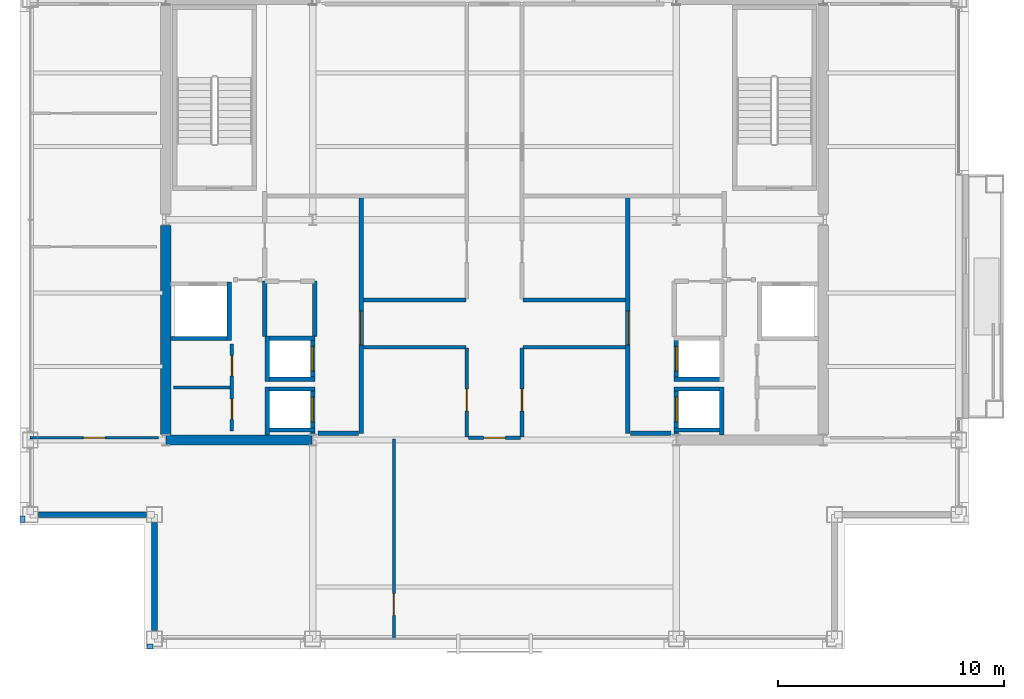
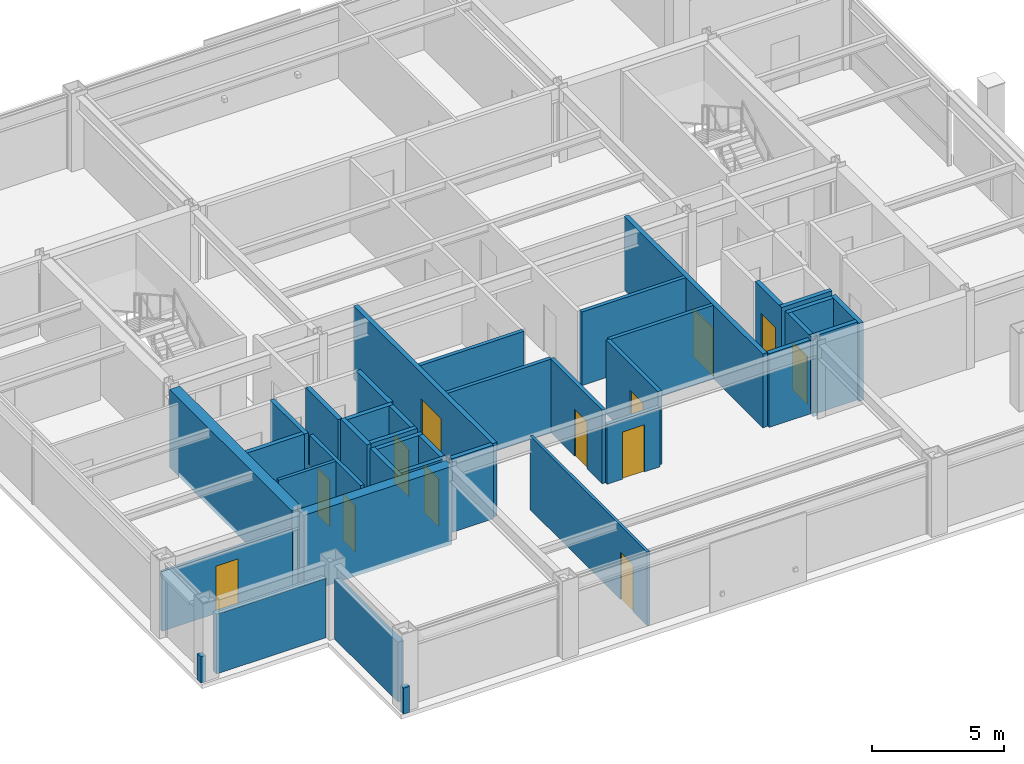
# One storey, part 25 of 30: 39 walls, 13 doors, 13 openings.
"""IFC4 building model written with IfcOpenShell, lengths in metres."""

from ifc_helpers import new_model, si_unit, direction, frame, frame_2d, origin, place, context, subcontext, project, spatial, rectangle, extrude, material, layer, layer_set, type_object, element, fill, save


model = new_model("IFC4")

# Units and contexts
model_context = context("Model", 3, precision=1e-05, world=origin(), true_north=direction((0.0, 1.0)))
body_context = subcontext(model_context, "Body", "Model", "MODEL_VIEW")
ifc_project = project(units=[si_unit("LENGTHUNIT", "METRE"), si_unit("AREAUNIT", "SQUARE_METRE"), si_unit("VOLUMEUNIT", "CUBIC_METRE"), si_unit("PLANEANGLEUNIT", "RADIAN"), si_unit("MASSUNIT", "GRAM", prefix="KILO")], contexts=[model_context])

# Site, building, storey
site_placement = place(None, origin())
site = spatial("IfcSite", under=ifc_project, at=site_placement, CompositionType="ELEMENT")
building_placement = place(site_placement, origin())
building = spatial("IfcBuilding", under=site, at=building_placement, Name="Brelmoor Portico Tower", CompositionType="ELEMENT")
storey_placement = place(building_placement, frame((0.0, 0.0, 187.5)))
storey = spatial("IfcBuildingStorey", under=building, at=storey_placement, Name="L49", CompositionType="ELEMENT", Elevation=187.5)

# Walls
ifc_material_1 = material(Name="Concrete C50", Category="concrete")
ifc_layer_1 = layer(ifc_material_1, 0.449951171875)
ifc_layer_set_1 = layer_set([ifc_layer_1], Name="Concrete C50")
wall_type_1 = type_object("IfcWallType", Name="WL-CORE-450", PredefinedType="SHEAR", material=ifc_layer_set_1)
wall_1_placement = place(storey_placement, frame((-14.530029296875, -9.75, -0.199951171875), z_axis=(0.0, 0.0, 1.0), x_axis=(1.0, 0.0, 0.0)))
element("IfcWall", 1, at=wall_1_placement, inside=storey, type_object=wall_type_1, Name="L49 WC South Shear Wall", PredefinedType="SHEAR", context=body_context, shape_type="SweptSolid", body=[
    extrude(rectangle(XDim=6.4599609375, YDim=0.449951171875, at=frame_2d((3.22998046875, 0.0))), origin(), (0.0, 0.0, 1.0), 3.599853515625),
])
wall_2_placement = place(storey_placement, frame((-14.550048828125, -9.5, -0.199951171875), z_axis=(0.0, 0.0, 1.0), x_axis=(0.0, 1.0, 0.0)))
element("IfcWall", 2, at=wall_2_placement, inside=storey, type_object=wall_type_1, Name="L49 WC Outer South Shear Wall", PredefinedType="SHEAR", context=body_context, shape_type="SweptSolid", body=[
    extrude(rectangle(XDim=9.25, YDim=0.449951171875, at=frame_2d((4.625, 0.0))), origin(), (0.0, 0.0, 1.0), 3.599853515625),
])
ifc_material_2 = material(Name="Precast Concrete C40 Insulated Facade Wall", Category="concrete")
ifc_layer_2 = layer(ifc_material_2, 0.25)
ifc_layer_set_2 = layer_set([ifc_layer_2], Name="Precast Concrete C40 Insulated Facade Wall")
wall_type_2 = type_object("IfcWallType", Name="WL-EXT-250", PredefinedType="STANDARD", material=ifc_layer_set_2)
for number, where, z_axis, x_axis, name in (
    (3, (-20.18994140625, -13.050048828125, 0.0), (0.0, 0.0, 1.0), (1.0, 0.0, 0.0), "L49 Corner Notch Facade Wall NSWH1"),
    (4, (-15.050048828125, -18.18994140625, 0.0), (0.0, 0.0, 1.0), (0.0, 1.0, 0.0), "L49 Corner Notch Facade Wall NSWV1"),
):
    element("IfcWall", number, at=place(storey_placement, frame(where, z_axis=z_axis, x_axis=x_axis)), inside=storey, type_object=wall_type_2, Name=name, PredefinedType="STANDARD", context=body_context, shape_type="SweptSolid", body=[
        extrude(rectangle(XDim=4.780029296875, YDim=0.25, at=frame_2d((2.39013671875, 0.0))), origin(), (0.0, 0.0, 1.0), 2.75),
    ])
ifc_material_3 = material(Name="Concrete C40 Parapet Upstand", Category="concrete")
ifc_layer_3 = layer(ifc_material_3, 0.219970703125)
ifc_layer_set_3 = layer_set([ifc_layer_3], Name="Concrete C40 Parapet Upstand")
wall_type_3 = type_object("IfcWallType", Name="WL-PARAPET-220", PredefinedType="PARAPET", material=ifc_layer_set_3)
for number, where, z_axis, x_axis, name in (
    (5, (-15.389892578125, -18.889892578125, 0.0), (0.0, 0.0, 1.0), (1.0, 0.0, 0.0), "L49 Chamfer Vertex Parapet Pier SW1"),
    (6, (-20.889892578125, -13.389892578125, 0.0), (0.0, 0.0, 1.0), (0.0, 1.0, 0.0), "L49 Chamfer Vertex Parapet Pier SW2"),
):
    element("IfcWall", number, at=place(storey_placement, frame(where, z_axis=z_axis, x_axis=x_axis)), inside=storey, type_object=wall_type_3, Name=name, PredefinedType="PARAPET", context=body_context, shape_type="SweptSolid", body=[
        extrude(rectangle(XDim=0.269775390625, YDim=0.219970703125, at=frame_2d((0.134765625, 0.0))), origin(), (0.0, 0.0, 1.0), 1.199951171875),
    ])

# Wall, opening, door
ifc_material_4 = material(Name="Lightweight Gypsum Office Partition", Category="gypsum")
ifc_layer_4 = layer(ifc_material_4, 0.1201171875)
ifc_layer_set_4 = layer_set([ifc_layer_4], Name="Lightweight Gypsum Office Partition")
wall_type_4 = type_object("IfcWallType", Name="WL-PART-120", PredefinedType="PARTITIONING", material=ifc_layer_set_4)
wall_3_placement = place(storey_placement, frame((-4.451171875, -18.56005859375, 0.0), z_axis=(0.0, 0.0, 1.0), x_axis=(0.0, 1.0, 0.0)))
wall_3 = element("IfcWall", 7, at=wall_3_placement, inside=storey, type_object=wall_type_4, Name="L49 South Suite Partition 1", PredefinedType="PARTITIONING", context=body_context, shape_type="SweptSolid", body=[
    extrude(rectangle(XDim=8.85009765625, YDim=0.1201171875, at=frame_2d((4.425048828125, 0.0))), origin(), (0.0, 0.0, 1.0), 3.39990234375),
])
opening_1_placement = place(wall_3_placement, frame((1.050048828125, 0.0, 0.0)))
opening_1 = element("IfcOpeningElement", 8, at=opening_1_placement, cuts=wall_3, Name="Opening D-IN2", PredefinedType="OPENING", context=body_context, shape_type="SweptSolid", body=[
    extrude(rectangle(XDim=0.9599609375, YDim=2.179931640625, at=frame_2d((0.47998046875, 1.08984375))), frame((0.0, 0.070068359375, 0.0), z_axis=(0.0, -1.0, 0.0), x_axis=(1.0, 0.0, 0.0)), (0.0, 0.0, 1.0), 0.14013671875),
])
ifc_material_5 = material(Name="Lacquered Timber Suite Door", Category="wood")
door_type_1 = type_object("IfcDoorType", Name="DR-INT-950", OperationType="NOTDEFINED", PredefinedType="DOOR", material=ifc_material_5)
door_1_placement = place(opening_1_placement, origin())
door_1 = element("IfcDoor", 9, at=door_1_placement, inside=storey, type_object=door_type_1, Name="D-2088 L49 South Suite Connecting Door 1", OperationType="SINGLE_SWING_RIGHT", OverallHeight=2.179931640625, OverallWidth=0.9599609375, PredefinedType="DOOR", context=body_context, shape_type="SweptSolid", body=[
    extrude(rectangle(XDim=0.9599609375, YDim=2.179931640625, at=frame_2d((0.47998046875, 1.08984375))), frame((0.0, 0.02490234375, 0.0), z_axis=(0.0, -1.0, 0.0), x_axis=(1.0, 0.0, 0.0)), (0.0, 0.0, 1.0), 0.050048828125),
])
fill(opening_1, door_1)

wall_4_placement = place(storey_placement, frame((-20.56005859375, -9.64990234375, 0.0), z_axis=(0.0, 0.0, 1.0), x_axis=(1.0, 0.0, 0.0)))
wall_4 = element("IfcWall", 10, at=wall_4_placement, inside=storey, type_object=wall_type_4, Name="L49 South Wing Closure WL", PredefinedType="PARTITIONING", context=body_context, shape_type="SweptSolid", body=[
    extrude(rectangle(XDim=5.68017578125, YDim=0.1201171875, at=frame_2d((2.840087890625, 0.0))), origin(), (0.0, 0.0, 1.0), 2.75),
])
opening_2_placement = place(wall_4_placement, frame((2.360107421875, 0.0, 0.0)))
opening_2 = element("IfcOpeningElement", 11, at=opening_2_placement, cuts=wall_4, Name="Opening D-IN2", PredefinedType="OPENING", context=body_context, shape_type="SweptSolid", body=[
    extrude(rectangle(XDim=0.9599609375, YDim=2.179931640625, at=frame_2d((0.47998046875, 1.08984375))), frame((0.0, 0.070068359375, 0.0), z_axis=(0.0, -1.0, 0.0), x_axis=(1.0, 0.0, 0.0)), (0.0, 0.0, 1.0), 0.14013671875),
])
door_2_placement = place(opening_2_placement, origin())
door_2 = element("IfcDoor", 12, at=door_2_placement, inside=storey, type_object=door_type_1, Name="D-2092 L49 WL Wing South Suite Door", OperationType="SINGLE_SWING_RIGHT", OverallHeight=2.179931640625, OverallWidth=0.9599609375, PredefinedType="DOOR", context=body_context, shape_type="SweptSolid", body=[
    extrude(rectangle(XDim=0.9599609375, YDim=2.179931640625, at=frame_2d((0.47998046875, 1.08984375))), frame((0.0, 0.02490234375, 0.0), z_axis=(0.0, -1.0, 0.0), x_axis=(1.0, 0.0, 0.0)), (0.0, 0.0, 1.0), 0.050048828125),
])
fill(opening_2, door_2)

# Wall
ifc_material_6 = material(Name="Insulated Stud Suite Partition", Category="gypsum")
ifc_layer_5 = layer(ifc_material_6, 0.139892578125)
ifc_layer_set_5 = layer_set([ifc_layer_5], Name="Insulated Stud Suite Partition")
wall_type_5 = type_object("IfcWallType", Name="WL-PART-140", PredefinedType="PARTITIONING", material=ifc_layer_set_5)
wall_5_placement = place(storey_placement, frame((-11.699951171875, -7.425048828125, 0.0), z_axis=(0.0, 0.0, 1.0), x_axis=(-1.0, 0.0, 0.0)))
element("IfcWall", 13, at=wall_5_placement, inside=storey, type_object=wall_type_5, Name="L49 W Core WC Divider 1", PredefinedType="PARTITIONING", context=body_context, shape_type="SweptSolid", body=[
    extrude(rectangle(XDim=2.5, YDim=0.139892578125, at=frame_2d((1.25, 0.0))), origin(), (0.0, 0.0, 1.0), 3.39990234375),
])

# Wall, openings, doors
ifc_material_7 = material(Name="Twin-Frame Acoustic Partition", Category="gypsum")
ifc_layer_6 = layer(ifc_material_7, 0.159912109375)
ifc_layer_set_6 = layer_set([ifc_layer_6], Name="Twin-Frame Acoustic Partition")
wall_type_6 = type_object("IfcWallType", Name="WL-PART-160", PredefinedType="PARTITIONING", material=ifc_layer_set_6)
wall_6_placement = place(storey_placement, frame((-11.6201171875, -9.35009765625, 0.0), z_axis=(0.0, 0.0, 1.0), x_axis=(0.0, 1.0, 0.0)))
wall_6 = element("IfcWall", 14, at=wall_6_placement, inside=storey, type_object=wall_type_6, Name="L49 W Core Service Front Wall", PredefinedType="PARTITIONING", context=body_context, shape_type="SweptSolid", body=[
    extrude(rectangle(XDim=3.85009765625, YDim=0.159912109375, at=frame_2d((1.925048828125, 0.0))), origin(), (0.0, 0.0, 1.0), 3.39990234375),
])
opening_3_placement = place(wall_6_placement, frame((0.512451171875, 0.0, 0.0)))
opening_3 = element("IfcOpeningElement", 15, at=opening_3_placement, cuts=wall_6, Name="Opening D-IN1", PredefinedType="OPENING", context=body_context, shape_type="SweptSolid", body=[
    extrude(rectangle(XDim=0.89990234375, YDim=2.14990234375, at=frame_2d((0.449951171875, 1.074951171875))), frame((0.0, 0.08984375, 0.0), z_axis=(0.0, -1.0, 0.0), x_axis=(1.0, 0.0, 0.0)), (0.0, 0.0, 1.0), 0.179931640625),
])
opening_4_placement = place(wall_6_placement, frame((2.4375, 0.0, 0.0)))
opening_4 = element("IfcOpeningElement", 16, at=opening_4_placement, cuts=wall_6, Name="Opening D-IN1", PredefinedType="OPENING", context=body_context, shape_type="SweptSolid", body=[
    extrude(rectangle(XDim=0.89990234375, YDim=2.14990234375, at=frame_2d((0.449951171875, 1.074951171875))), frame((0.0, 0.08984375, 0.0), z_axis=(0.0, -1.0, 0.0), x_axis=(1.0, 0.0, 0.0)), (0.0, 0.0, 1.0), 0.179931640625),
])
door_type_2 = type_object("IfcDoorType", Name="DR-INT-900", OperationType="NOTDEFINED", PredefinedType="DOOR", material=ifc_material_5)
door_3_placement = place(opening_3_placement, origin())
door_3 = element("IfcDoor", 17, at=door_3_placement, inside=storey, type_object=door_type_2, Name="D-2073 L49 W Accessible WC Door", OperationType="SINGLE_SWING_LEFT", OverallHeight=2.14990234375, OverallWidth=0.89990234375, PredefinedType="DOOR", context=body_context, shape_type="SweptSolid", body=[
    extrude(rectangle(XDim=0.89990234375, YDim=2.14990234375, at=frame_2d((0.449951171875, 1.074951171875))), frame((0.0, 0.02490234375, 0.0), z_axis=(0.0, -1.0, 0.0), x_axis=(1.0, 0.0, 0.0)), (0.0, 0.0, 1.0), 0.050048828125),
])
fill(opening_3, door_3)
door_4_placement = place(opening_4_placement, origin())
door_4 = element("IfcDoor", 18, at=door_4_placement, inside=storey, type_object=door_type_2, Name="D-2074 L49 W Staff WC Door", OperationType="SINGLE_SWING_RIGHT", OverallHeight=2.14990234375, OverallWidth=0.89990234375, PredefinedType="DOOR", context=body_context, shape_type="SweptSolid", body=[
    extrude(rectangle(XDim=0.89990234375, YDim=2.14990234375, at=frame_2d((0.449951171875, 1.074951171875))), frame((0.0, 0.02490234375, 0.0), z_axis=(0.0, -1.0, 0.0), x_axis=(1.0, 0.0, 0.0)), (0.0, 0.0, 1.0), 0.050048828125),
])
fill(opening_4, door_4)

# Walls
for number, where, z_axis, x_axis, name in (
    (19, (-5.800048828125, -3.550048828125, 0.0), (0.0, 0.0, 1.0), (1.0, 0.0, 0.0), "L49 West Pantry South Wall"),
    (20, (1.260009765625, -3.550048828125, 0.0), (0.0, 0.0, 1.0), (1.0, 0.0, 0.0), "L49 East Office South Wall"),
):
    element("IfcWall", number, at=place(storey_placement, frame(where, z_axis=z_axis, x_axis=x_axis)), inside=storey, type_object=wall_type_6, Name=name, PredefinedType="PARTITIONING", context=body_context, shape_type="SweptSolid", body=[
        extrude(rectangle(XDim=4.5400390625, YDim=0.159912109375, at=frame_2d((2.27001953125, 0.0))), origin(), (0.0, 0.0, 1.0), 3.39990234375),
    ])

# Wall, opening, door
wall_7_placement = place(storey_placement, frame((-1.219970703125, -9.610107421875, 0.0), z_axis=(0.0, 0.0, 1.0), x_axis=(0.0, 1.0, 0.0)))
wall_7 = element("IfcWall", 21, at=wall_7_placement, inside=storey, type_object=wall_type_6, Name="L49 South Cross West Wall", PredefinedType="PARTITIONING", context=body_context, shape_type="SweptSolid", body=[
    extrude(rectangle(XDim=3.93017578125, YDim=0.159912109375, at=frame_2d((1.965087890625, 0.0))), origin(), (0.0, 0.0, 1.0), 3.39990234375),
])
opening_5_placement = place(wall_7_placement, frame((1.14990234375, 0.0, 0.0)))
opening_5 = element("IfcOpeningElement", 22, at=opening_5_placement, cuts=wall_7, Name="Opening D-IN2", PredefinedType="OPENING", context=body_context, shape_type="SweptSolid", body=[
    extrude(rectangle(XDim=0.9599609375, YDim=2.179931640625, at=frame_2d((0.47998046875, 1.08984375))), frame((0.0, 0.08984375, 0.0), z_axis=(0.0, -1.0, 0.0), x_axis=(1.0, 0.0, 0.0)), (0.0, 0.0, 1.0), 0.179931640625),
])
door_5_placement = place(opening_5_placement, origin())
door_5 = element("IfcDoor", 23, at=door_5_placement, inside=storey, type_object=door_type_1, Name="D-2066 L49 South-West Archive Room Door", OperationType="SINGLE_SWING_RIGHT", OverallHeight=2.179931640625, OverallWidth=0.9599609375, PredefinedType="DOOR", context=body_context, shape_type="SweptSolid", body=[
    extrude(rectangle(XDim=0.9599609375, YDim=2.179931640625, at=frame_2d((0.47998046875, 1.08984375))), frame((0.0, 0.02490234375, 0.0), z_axis=(0.0, -1.0, 0.0), x_axis=(1.0, 0.0, 0.0)), (0.0, 0.0, 1.0), 0.050048828125),
])
fill(opening_5, door_5)

wall_8_placement = place(storey_placement, frame((1.219970703125, -9.610107421875, 0.0), z_axis=(0.0, 0.0, 1.0), x_axis=(0.0, 1.0, 0.0)))
wall_8 = element("IfcWall", 24, at=wall_8_placement, inside=storey, type_object=wall_type_6, Name="L49 South Cross East Wall", PredefinedType="PARTITIONING", context=body_context, shape_type="SweptSolid", body=[
    extrude(rectangle(XDim=3.93017578125, YDim=0.159912109375, at=frame_2d((1.965087890625, 0.0))), origin(), (0.0, 0.0, 1.0), 3.39990234375),
])
opening_6_placement = place(wall_8_placement, frame((1.14990234375, 0.0, 0.0)))
opening_6 = element("IfcOpeningElement", 25, at=opening_6_placement, cuts=wall_8, Name="Opening D-IN2", PredefinedType="OPENING", context=body_context, shape_type="SweptSolid", body=[
    extrude(rectangle(XDim=0.9599609375, YDim=2.179931640625, at=frame_2d((0.47998046875, 1.08984375))), frame((0.0, 0.08984375, 0.0), z_axis=(0.0, -1.0, 0.0), x_axis=(1.0, 0.0, 0.0)), (0.0, 0.0, 1.0), 0.179931640625),
])
door_6_placement = place(opening_6_placement, origin())
door_6 = element("IfcDoor", 26, at=door_6_placement, inside=storey, type_object=door_type_1, Name="D-2065 L49 South-East Partner Office Door", OperationType="SINGLE_SWING_LEFT", OverallHeight=2.179931640625, OverallWidth=0.9599609375, PredefinedType="DOOR", context=body_context, shape_type="SweptSolid", body=[
    extrude(rectangle(XDim=0.9599609375, YDim=2.179931640625, at=frame_2d((0.47998046875, 1.08984375))), frame((0.0, 0.02490234375, 0.0), z_axis=(0.0, -1.0, 0.0), x_axis=(1.0, 0.0, 0.0)), (0.0, 0.0, 1.0), 0.050048828125),
])
fill(opening_6, door_6)

# Walls
for number, where, z_axis, x_axis, name in (
    (27, (-5.800048828125, -5.64990234375, 0.0), (0.0, 0.0, 1.0), (1.0, 0.0, 0.0), "L49 South-West Chamber Top Wall"),
    (28, (1.260009765625, -5.64990234375, 0.0), (0.0, 0.0, 1.0), (1.0, 0.0, 0.0), "L49 South-East Chamber Top Wall"),
):
    element("IfcWall", number, at=place(storey_placement, frame(where, z_axis=z_axis, x_axis=x_axis)), inside=storey, type_object=wall_type_6, Name=name, PredefinedType="PARTITIONING", context=body_context, shape_type="SweptSolid", body=[
        extrude(rectangle(XDim=4.5400390625, YDim=0.159912109375, at=frame_2d((2.27001953125, 0.0))), origin(), (0.0, 0.0, 1.0), 3.39990234375),
    ])

# Wall, opening, door
wall_9_placement = place(storey_placement, frame((-1.14990234375, -9.64990234375, 0.0), z_axis=(0.0, 0.0, 1.0), x_axis=(1.0, 0.0, 0.0)))
wall_9 = element("IfcWall", 29, at=wall_9_placement, inside=storey, type_object=wall_type_6, Name="L49 South Corridor Partition", PredefinedType="PARTITIONING", context=body_context, shape_type="SweptSolid", body=[
    extrude(rectangle(XDim=2.2998046875, YDim=0.159912109375, at=frame_2d((1.14990234375, 0.0))), origin(), (0.0, 0.0, 1.0), 2.75),
])
opening_7_placement = place(wall_9_placement, frame((0.669921875, 0.0, 0.0)))
opening_7 = element("IfcOpeningElement", 30, at=opening_7_placement, cuts=wall_9, Name="Opening D-IN2", PredefinedType="OPENING", context=body_context, shape_type="SweptSolid", body=[
    extrude(rectangle(XDim=0.9599609375, YDim=2.179931640625, at=frame_2d((0.47998046875, 1.08984375))), frame((0.0, 0.08984375, 0.0), z_axis=(0.0, -1.0, 0.0), x_axis=(1.0, 0.0, 0.0)), (0.0, 0.0, 1.0), 0.179931640625),
])
door_7_placement = place(opening_7_placement, origin())
door_7 = element("IfcDoor", 31, at=door_7_placement, inside=storey, type_object=door_type_1, Name="D-2087 L49 South Staff Tea Pantry 2 Door", OperationType="SINGLE_SWING_LEFT", OverallHeight=2.179931640625, OverallWidth=0.9599609375, PredefinedType="DOOR", context=body_context, shape_type="SweptSolid", body=[
    extrude(rectangle(XDim=0.9599609375, YDim=2.179931640625, at=frame_2d((0.47998046875, 1.08984375))), frame((0.0, 0.02490234375, 0.0), z_axis=(0.0, -1.0, 0.0), x_axis=(1.0, 0.0, 0.0)), (0.0, 0.0, 1.0), 0.050048828125),
])
fill(opening_7, door_7)

ifc_material_8 = material(Name="Double-Stud Gypsum Fire Partition", Category="gypsum")
ifc_layer_7 = layer(ifc_material_8, 0.199951171875)
ifc_layer_set_7 = layer_set([ifc_layer_7], Name="Double-Stud Gypsum Fire Partition")
wall_type_7 = type_object("IfcWallType", Name="WL-PART-200", PredefinedType="PARTITIONING", material=ifc_layer_set_7)
wall_10_placement = place(storey_placement, frame((-5.89990234375, -9.449951171875, 0.0), z_axis=(0.0, 0.0, 1.0), x_axis=(0.0, 1.0, 0.0)))
wall_10 = element("IfcWall", 32, at=wall_10_placement, inside=storey, type_object=wall_type_7, Name="L49 W Core Lobby Compartment Wall", PredefinedType="PARTITIONING", context=body_context, shape_type="SweptSolid", body=[
    extrude(rectangle(XDim=10.5, YDim=0.199951171875, at=frame_2d((5.25, 0.0))), origin(), (0.0, 0.0, 1.0), 3.39990234375),
])
opening_8_placement = place(wall_10_placement, frame((3.89990234375, 0.0, 0.0)))
opening_8 = element("IfcOpeningElement", 33, at=opening_8_placement, cuts=wall_10, Name="Opening D-LB1", PredefinedType="OPENING", context=body_context, shape_type="SweptSolid", body=[
    extrude(rectangle(XDim=1.5, YDim=2.199951171875, at=frame_2d((0.75, 1.10009765625))), frame((0.0, 0.10986328125, 0.0), z_axis=(0.0, -1.0, 0.0), x_axis=(1.0, 0.0, 0.0)), (0.0, 0.0, 1.0), 0.219970703125),
])
ifc_material_9 = material(Name="Double-Leaf Glazed Steel Fire Door", Category="steel")
door_type_3 = type_object("IfcDoorType", Name="DR-LOBBY-1500", OperationType="NOTDEFINED", PredefinedType="DOOR", material=ifc_material_9)
door_8_placement = place(opening_8_placement, origin())
door_8 = element("IfcDoor", 34, at=door_8_placement, inside=storey, type_object=door_type_3, Name="D-2080 L49 W Lift Lobby Main Door", OperationType="DOUBLE_DOOR_SINGLE_SWING", OverallHeight=2.199951171875, OverallWidth=1.5, PredefinedType="DOOR", context=body_context, shape_type="SweptSolid", body=[
    extrude(rectangle(XDim=1.5, YDim=2.199951171875, at=frame_2d((0.75, 1.10009765625))), frame((0.0, 0.02490234375, 0.0), z_axis=(0.0, -1.0, 0.0), x_axis=(1.0, 0.0, 0.0)), (0.0, 0.0, 1.0), 0.050048828125),
])
fill(opening_8, door_8)

# Walls
wall_11_placement = place(storey_placement, frame((-6.02001953125, -9.449951171875, 0.0), z_axis=(0.0, 0.0, 1.0), x_axis=(-1.0, 0.0, 0.0)))
element("IfcWall", 35, at=wall_11_placement, inside=storey, type_object=wall_type_7, Name="L49 W Lift Lobby South End Wall", PredefinedType="PARTITIONING", context=body_context, shape_type="SweptSolid", body=[
    extrude(rectangle(XDim=1.800048828125, YDim=0.199951171875, at=frame_2d((0.89990234375, 0.0))), origin(), (0.0, 0.0, 1.0), 3.39990234375),
])
for number, where, z_axis, x_axis, name in (
    (36, (-7.9599609375, -5.159912109375, 0.0), (0.0, 0.0, 1.0), (0.0, 1.0, 0.0), "L49 W Electrical Switchgear Closet Inner Wall"),
    (37, (-10.159912109375, -5.159912109375, 0.0), (0.0, 0.0, 1.0), (0.0, 1.0, 0.0), "L49 W Electrical Switchgear Closet Outer Wall"),
):
    element("IfcWall", number, at=place(storey_placement, frame(where, z_axis=z_axis, x_axis=x_axis)), inside=storey, type_object=wall_type_7, Name=name, PredefinedType="PARTITIONING", context=body_context, shape_type="SweptSolid", body=[
        extrude(rectangle(XDim=2.43994140625, YDim=0.199951171875, at=frame_2d((1.219970703125, 0.0))), origin(), (0.0, 0.0, 1.0), 3.39990234375),
    ])

# Wall, opening, door
wall_12_placement = place(storey_placement, frame((5.89990234375, -9.449951171875, 0.0), z_axis=(0.0, 0.0, 1.0), x_axis=(0.0, 1.0, 0.0)))
wall_12 = element("IfcWall", 38, at=wall_12_placement, inside=storey, type_object=wall_type_7, Name="L49 E Core Lobby Compartment Wall", PredefinedType="PARTITIONING", context=body_context, shape_type="SweptSolid", body=[
    extrude(rectangle(XDim=10.5, YDim=0.199951171875, at=frame_2d((5.25, 0.0))), origin(), (0.0, 0.0, 1.0), 3.39990234375),
])
opening_9_placement = place(wall_12_placement, frame((3.89990234375, 0.0, 0.0)))
opening_9 = element("IfcOpeningElement", 39, at=opening_9_placement, cuts=wall_12, Name="Opening D-LB1", PredefinedType="OPENING", context=body_context, shape_type="SweptSolid", body=[
    extrude(rectangle(XDim=1.5, YDim=2.199951171875, at=frame_2d((0.75, 1.10009765625))), frame((0.0, 0.10986328125, 0.0), z_axis=(0.0, -1.0, 0.0), x_axis=(1.0, 0.0, 0.0)), (0.0, 0.0, 1.0), 0.219970703125),
])
door_9_placement = place(opening_9_placement, origin())
door_9 = element("IfcDoor", 40, at=door_9_placement, inside=storey, type_object=door_type_3, Name="D-2079 L49 E Lift Lobby Main Door", OperationType="DOUBLE_DOOR_SINGLE_SWING", OverallHeight=2.199951171875, OverallWidth=1.5, PredefinedType="DOOR", context=body_context, shape_type="SweptSolid", body=[
    extrude(rectangle(XDim=1.5, YDim=2.199951171875, at=frame_2d((0.75, 1.10009765625))), frame((0.0, 0.02490234375, 0.0), z_axis=(0.0, -1.0, 0.0), x_axis=(1.0, 0.0, 0.0)), (0.0, 0.0, 1.0), 0.050048828125),
])
fill(opening_9, door_9)

# Wall
wall_13_placement = place(storey_placement, frame((6.02001953125, -9.449951171875, 0.0), z_axis=(0.0, 0.0, 1.0), x_axis=(1.0, 0.0, 0.0)))
element("IfcWall", 41, at=wall_13_placement, inside=storey, type_object=wall_type_7, Name="L49 E Lift Lobby South End Wall", PredefinedType="PARTITIONING", context=body_context, shape_type="SweptSolid", body=[
    extrude(rectangle(XDim=1.800048828125, YDim=0.199951171875, at=frame_2d((0.89990234375, 0.0))), origin(), (0.0, 0.0, 1.0), 3.39990234375),
])

# Wall, opening, door
ifc_material_10 = material(Name="Precast Concrete C40", Category="concrete")
ifc_layer_8 = layer(ifc_material_10, 0.18994140625)
ifc_layer_set_8 = layer_set([ifc_layer_8], Name="Precast Concrete C40")
wall_type_8 = type_object("IfcWallType", Name="WL-SHAFT-180", PredefinedType="SOLIDWALL", material=ifc_layer_set_8)
wall_14_placement = place(storey_placement, frame((-8.044921875, -9.52001953125, -0.199951171875), z_axis=(0.0, 0.0, 1.0), x_axis=(0.0, 1.0, 0.0)))
wall_14 = element("IfcWall", 42, at=wall_14_placement, inside=storey, type_object=wall_type_8, Name="L49 Lift PH1 Hoistway Front Wall", PredefinedType="SOLIDWALL", context=body_context, shape_type="SweptSolid", body=[
    extrude(rectangle(XDim=2.1201171875, YDim=0.18994140625, at=frame_2d((1.06005859375, 0.0))), origin(), (0.0, 0.0, 1.0), 3.599853515625),
])
opening_10_placement = place(wall_14_placement, frame((0.570068359375, 0.0, 0.199951171875)))
opening_10 = element("IfcOpeningElement", 43, at=opening_10_placement, cuts=wall_14, Name="Opening LD-01", PredefinedType="OPENING", context=body_context, shape_type="SweptSolid", body=[
    extrude(rectangle(XDim=1.10009765625, YDim=2.199951171875, at=frame_2d((0.550048828125, 1.10009765625))), frame((0.0, 0.10498046875, 0.0), z_axis=(0.0, -1.0, 0.0), x_axis=(1.0, 0.0, 0.0)), (0.0, 0.0, 1.0), 0.2099609375),
])
ifc_material_11 = material(Name="Brushed Stainless Steel Sliding Lift Door", Category="steel")
door_type_4 = type_object("IfcDoorType", Name="DR-LIFT-1100", OperationType="NOTDEFINED", PredefinedType="DOOR", material=ifc_material_11)
door_10_placement = place(opening_10_placement, origin())
door_10 = element("IfcDoor", 44, at=door_10_placement, inside=storey, type_object=door_type_4, Name="D-2098 L49 Lift PH1 Sliding Landing Door", OperationType="SLIDING_TO_LEFT", OverallHeight=2.199951171875, OverallWidth=1.10009765625, PredefinedType="DOOR", context=body_context, shape_type="SweptSolid", body=[
    extrude(rectangle(XDim=1.10009765625, YDim=2.199951171875, at=frame_2d((0.550048828125, 1.10009765625))), frame((0.0, 0.02490234375, 0.0), z_axis=(0.0, -1.0, 0.0), x_axis=(1.0, 0.0, 0.0)), (0.0, 0.0, 1.0), 0.050048828125),
])
fill(opening_10, door_10)

# Walls
wall_15_placement = place(storey_placement, frame((-10.054931640625, -9.52001953125, -0.199951171875), z_axis=(0.0, 0.0, 1.0), x_axis=(0.0, 1.0, 0.0)))
element("IfcWall", 45, at=wall_15_placement, inside=storey, type_object=wall_type_8, Name="L49 Lift PH1 Hoistway Back Wall", PredefinedType="SOLIDWALL", context=body_context, shape_type="SweptSolid", body=[
    extrude(rectangle(XDim=2.1201171875, YDim=0.18994140625, at=frame_2d((1.06005859375, 0.0))), origin(), (0.0, 0.0, 1.0), 3.599853515625),
])
for number, where, z_axis, x_axis, name in (
    (46, (-10.14990234375, -7.4951171875, -0.199951171875), (0.0, 0.0, 1.0), (1.0, 0.0, 0.0), "L49 Lift PH1 Hoistway North Wall"),
    (47, (-10.14990234375, -9.304931640625, -0.199951171875), (0.0, 0.0, 1.0), (1.0, 0.0, 0.0), "L49 Lift PH1 Hoistway South Wall"),
):
    element("IfcWall", number, at=place(storey_placement, frame(where, z_axis=z_axis, x_axis=x_axis)), inside=storey, type_object=wall_type_8, Name=name, PredefinedType="SOLIDWALL", context=body_context, shape_type="SweptSolid", body=[
        extrude(rectangle(XDim=2.199951171875, YDim=0.18994140625, at=frame_2d((1.10009765625, 0.0))), origin(), (0.0, 0.0, 1.0), 3.599853515625),
    ])

# Wall, opening, door
wall_16_placement = place(storey_placement, frame((-8.044921875, -7.14990234375, -0.199951171875), z_axis=(0.0, 0.0, 1.0), x_axis=(0.0, 1.0, 0.0)))
wall_16 = element("IfcWall", 48, at=wall_16_placement, inside=storey, type_object=wall_type_8, Name="L49 Lift PH2 Hoistway Front Wall", PredefinedType="SOLIDWALL", context=body_context, shape_type="SweptSolid", body=[
    extrude(rectangle(XDim=2.0, YDim=0.18994140625, at=frame_2d((1.0, 0.0))), origin(), (0.0, 0.0, 1.0), 3.599853515625),
])
opening_11_placement = place(wall_16_placement, frame((0.449951171875, 0.0, 0.199951171875)))
opening_11 = element("IfcOpeningElement", 49, at=opening_11_placement, cuts=wall_16, Name="Opening LD-01", PredefinedType="OPENING", context=body_context, shape_type="SweptSolid", body=[
    extrude(rectangle(XDim=1.10009765625, YDim=2.199951171875, at=frame_2d((0.550048828125, 1.10009765625))), frame((0.0, 0.10498046875, 0.0), z_axis=(0.0, -1.0, 0.0), x_axis=(1.0, 0.0, 0.0)), (0.0, 0.0, 1.0), 0.2099609375),
])
door_11_placement = place(opening_11_placement, origin())
door_11 = element("IfcDoor", 50, at=door_11_placement, inside=storey, type_object=door_type_4, Name="D-2099 L49 Lift PH2 Sliding Landing Door", OperationType="SLIDING_TO_LEFT", OverallHeight=2.199951171875, OverallWidth=1.10009765625, PredefinedType="DOOR", context=body_context, shape_type="SweptSolid", body=[
    extrude(rectangle(XDim=1.10009765625, YDim=2.199951171875, at=frame_2d((0.550048828125, 1.10009765625))), frame((0.0, 0.02490234375, 0.0), z_axis=(0.0, -1.0, 0.0), x_axis=(1.0, 0.0, 0.0)), (0.0, 0.0, 1.0), 0.050048828125),
])
fill(opening_11, door_11)

# Walls
wall_17_placement = place(storey_placement, frame((-10.054931640625, -7.14990234375, -0.199951171875), z_axis=(0.0, 0.0, 1.0), x_axis=(0.0, 1.0, 0.0)))
element("IfcWall", 51, at=wall_17_placement, inside=storey, type_object=wall_type_8, Name="L49 Lift PH2 Hoistway Back Wall", PredefinedType="SOLIDWALL", context=body_context, shape_type="SweptSolid", body=[
    extrude(rectangle(XDim=2.0, YDim=0.18994140625, at=frame_2d((1.0, 0.0))), origin(), (0.0, 0.0, 1.0), 3.599853515625),
])
for number, where, z_axis, x_axis, name in (
    (52, (-10.14990234375, -5.2451171875, -0.199951171875), (0.0, 0.0, 1.0), (1.0, 0.0, 0.0), "L49 Lift PH2 Hoistway North Wall"),
    (53, (-10.14990234375, -7.054931640625, -0.199951171875), (0.0, 0.0, 1.0), (1.0, 0.0, 0.0), "L49 Lift PH2 Hoistway South Wall"),
):
    element("IfcWall", number, at=place(storey_placement, frame(where, z_axis=z_axis, x_axis=x_axis)), inside=storey, type_object=wall_type_8, Name=name, PredefinedType="SOLIDWALL", context=body_context, shape_type="SweptSolid", body=[
        extrude(rectangle(XDim=2.199951171875, YDim=0.18994140625, at=frame_2d((1.10009765625, 0.0))), origin(), (0.0, 0.0, 1.0), 3.599853515625),
    ])

# Wall, opening, door
wall_18_placement = place(storey_placement, frame((8.044921875, -9.52001953125, -0.199951171875), z_axis=(0.0, 0.0, 1.0), x_axis=(0.0, 1.0, 0.0)))
wall_18 = element("IfcWall", 54, at=wall_18_placement, inside=storey, type_object=wall_type_8, Name="L49 Lift PH3 Hoistway Front Wall", PredefinedType="SOLIDWALL", context=body_context, shape_type="SweptSolid", body=[
    extrude(rectangle(XDim=2.1201171875, YDim=0.18994140625, at=frame_2d((1.06005859375, 0.0))), origin(), (0.0, 0.0, 1.0), 3.599853515625),
])
opening_12_placement = place(wall_18_placement, frame((0.570068359375, 0.0, 0.199951171875)))
opening_12 = element("IfcOpeningElement", 55, at=opening_12_placement, cuts=wall_18, Name="Opening LD-01", PredefinedType="OPENING", context=body_context, shape_type="SweptSolid", body=[
    extrude(rectangle(XDim=1.10009765625, YDim=2.199951171875, at=frame_2d((0.550048828125, 1.10009765625))), frame((0.0, 0.10498046875, 0.0), z_axis=(0.0, -1.0, 0.0), x_axis=(1.0, 0.0, 0.0)), (0.0, 0.0, 1.0), 0.2099609375),
])
door_12_placement = place(opening_12_placement, origin())
door_12 = element("IfcDoor", 56, at=door_12_placement, inside=storey, type_object=door_type_4, Name="D-2100 L49 Lift PH3 Sliding Landing Door", OperationType="SLIDING_TO_LEFT", OverallHeight=2.199951171875, OverallWidth=1.10009765625, PredefinedType="DOOR", context=body_context, shape_type="SweptSolid", body=[
    extrude(rectangle(XDim=1.10009765625, YDim=2.199951171875, at=frame_2d((0.550048828125, 1.10009765625))), frame((0.0, 0.02490234375, 0.0), z_axis=(0.0, -1.0, 0.0), x_axis=(1.0, 0.0, 0.0)), (0.0, 0.0, 1.0), 0.050048828125),
])
fill(opening_12, door_12)

# Walls
wall_19_placement = place(storey_placement, frame((10.054931640625, -9.52001953125, -0.199951171875), z_axis=(0.0, 0.0, 1.0), x_axis=(0.0, 1.0, 0.0)))
element("IfcWall", 57, at=wall_19_placement, inside=storey, type_object=wall_type_8, Name="L49 Lift PH3 Hoistway Back Wall", PredefinedType="SOLIDWALL", context=body_context, shape_type="SweptSolid", body=[
    extrude(rectangle(XDim=2.1201171875, YDim=0.18994140625, at=frame_2d((1.06005859375, 0.0))), origin(), (0.0, 0.0, 1.0), 3.599853515625),
])
for number, where, z_axis, x_axis, name in (
    (58, (7.949951171875, -7.4951171875, -0.199951171875), (0.0, 0.0, 1.0), (1.0, 0.0, 0.0), "L49 Lift PH3 Hoistway North Wall"),
    (59, (7.949951171875, -9.304931640625, -0.199951171875), (0.0, 0.0, 1.0), (1.0, 0.0, 0.0), "L49 Lift PH3 Hoistway South Wall"),
):
    element("IfcWall", number, at=place(storey_placement, frame(where, z_axis=z_axis, x_axis=x_axis)), inside=storey, type_object=wall_type_8, Name=name, PredefinedType="SOLIDWALL", context=body_context, shape_type="SweptSolid", body=[
        extrude(rectangle(XDim=2.199951171875, YDim=0.18994140625, at=frame_2d((1.10009765625, 0.0))), origin(), (0.0, 0.0, 1.0), 3.599853515625),
    ])

# Wall, opening, door
wall_20_placement = place(storey_placement, frame((8.044921875, -7.14990234375, -0.199951171875), z_axis=(0.0, 0.0, 1.0), x_axis=(0.0, 1.0, 0.0)))
wall_20 = element("IfcWall", 60, at=wall_20_placement, inside=storey, type_object=wall_type_8, Name="L49 Lift PH4 Hoistway Front Wall", PredefinedType="SOLIDWALL", context=body_context, shape_type="SweptSolid", body=[
    extrude(rectangle(XDim=2.0, YDim=0.18994140625, at=frame_2d((1.0, 0.0))), origin(), (0.0, 0.0, 1.0), 3.599853515625),
])
opening_13_placement = place(wall_20_placement, frame((0.449951171875, 0.0, 0.199951171875)))
opening_13 = element("IfcOpeningElement", 61, at=opening_13_placement, cuts=wall_20, Name="Opening LD-01", PredefinedType="OPENING", context=body_context, shape_type="SweptSolid", body=[
    extrude(rectangle(XDim=1.10009765625, YDim=2.199951171875, at=frame_2d((0.550048828125, 1.10009765625))), frame((0.0, 0.10498046875, 0.0), z_axis=(0.0, -1.0, 0.0), x_axis=(1.0, 0.0, 0.0)), (0.0, 0.0, 1.0), 0.2099609375),
])
door_13_placement = place(opening_13_placement, origin())
door_13 = element("IfcDoor", 62, at=door_13_placement, inside=storey, type_object=door_type_4, Name="D-2101 L49 Lift PH4 Sliding Landing Door", OperationType="SLIDING_TO_LEFT", OverallHeight=2.199951171875, OverallWidth=1.10009765625, PredefinedType="DOOR", context=body_context, shape_type="SweptSolid", body=[
    extrude(rectangle(XDim=1.10009765625, YDim=2.199951171875, at=frame_2d((0.550048828125, 1.10009765625))), frame((0.0, 0.02490234375, 0.0), z_axis=(0.0, -1.0, 0.0), x_axis=(1.0, 0.0, 0.0)), (0.0, 0.0, 1.0), 0.050048828125),
])
fill(opening_13, door_13)

# Walls
wall_21_placement = place(storey_placement, frame((7.949951171875, -7.054931640625, -0.199951171875), z_axis=(0.0, 0.0, 1.0), x_axis=(1.0, 0.0, 0.0)))
element("IfcWall", 63, at=wall_21_placement, inside=storey, type_object=wall_type_8, Name="L49 Lift PH4 Hoistway South Wall", PredefinedType="SOLIDWALL", context=body_context, shape_type="SweptSolid", body=[
    extrude(rectangle(XDim=2.199951171875, YDim=0.18994140625, at=frame_2d((1.10009765625, 0.0))), origin(), (0.0, 0.0, 1.0), 3.599853515625),
])
wall_22_placement = place(storey_placement, frame((-14.330078125, -5.2548828125, -0.199951171875), z_axis=(0.0, 0.0, 1.0), x_axis=(1.0, 0.0, 0.0)))
element("IfcWall", 64, at=wall_22_placement, inside=storey, type_object=wall_type_8, Name="L49 Firefighting Lift FF1 South Wall", PredefinedType="SOLIDWALL", context=body_context, shape_type="SweptSolid", body=[
    extrude(rectangle(XDim=2.68017578125, YDim=0.18994140625, at=frame_2d((1.340087890625, 0.0))), origin(), (0.0, 0.0, 1.0), 3.599853515625),
])
wall_23_placement = place(storey_placement, frame((-11.7451171875, -5.35009765625, -0.199951171875), z_axis=(0.0, 0.0, 1.0), x_axis=(0.0, 1.0, 0.0)))
element("IfcWall", 65, at=wall_23_placement, inside=storey, type_object=wall_type_8, Name="L49 Firefighting Lift FF1 Inner Wall", PredefinedType="SOLIDWALL", context=body_context, shape_type="SweptSolid", body=[
    extrude(rectangle(XDim=2.60009765625, YDim=0.18994140625, at=frame_2d((1.300048828125, 0.0))), origin(), (0.0, 0.0, 1.0), 3.599853515625),
])

save(model, "model.ifc")
